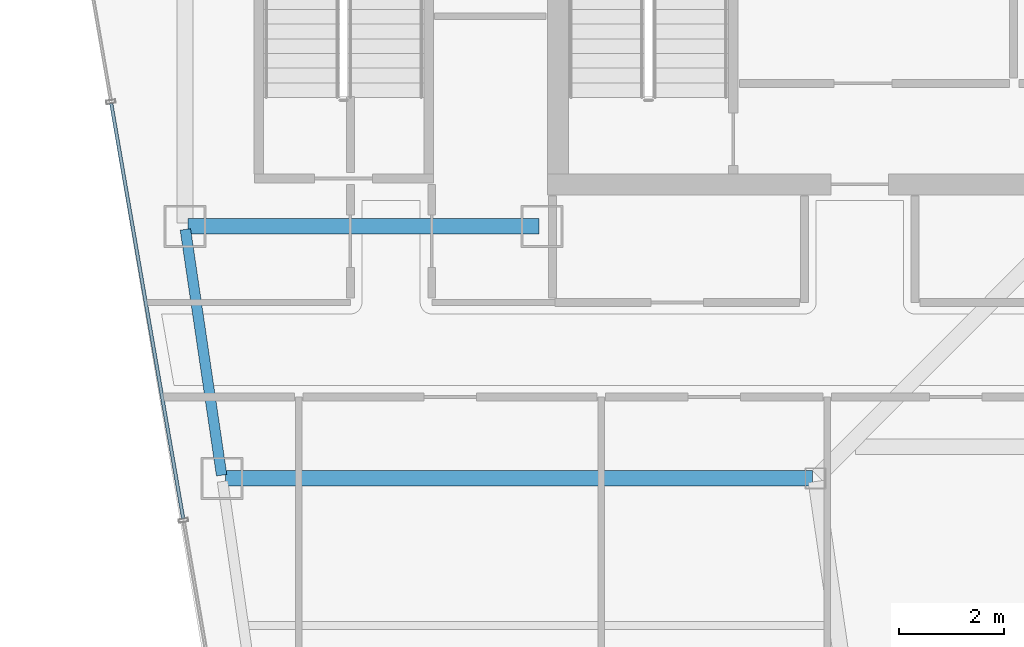
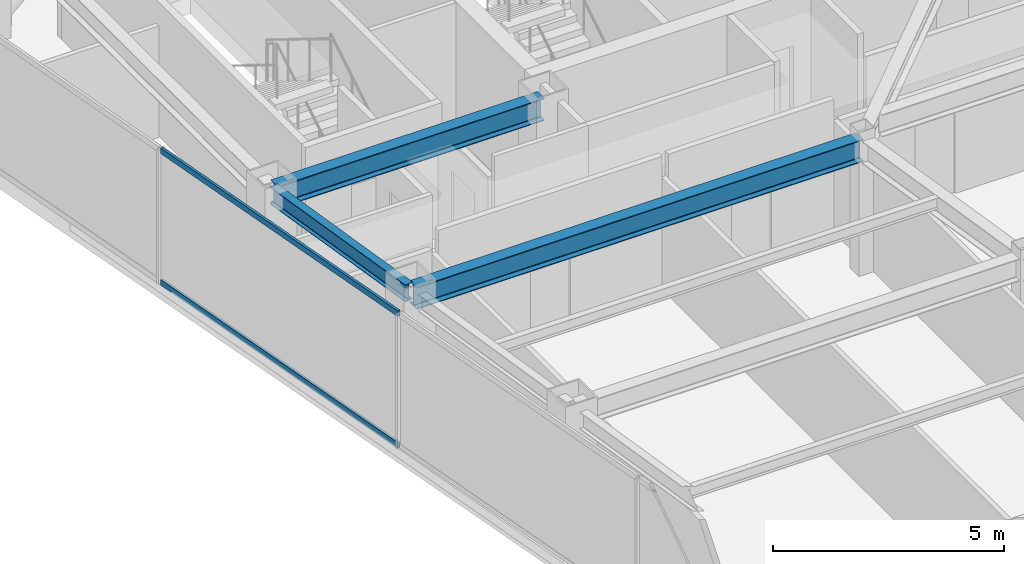
# One storey, part 6 of 31: 3 beams, 2 members, 1 element without a shape of its own.
"""IFC4 building model written with IfcOpenShell, lengths in metres."""

import ifcopenshell
import ifcopenshell.guid

model = None  # the IFC model being written
_history = None  # IfcOwnerHistory: only IFC2X3 demands one
_inside = {}  # id of a spatial element -> (the spatial element, [elements in it])
_under = {}  # id of a project, library or spatial element -> (it, [spatial elements below it])
_declared = {}  # id of a project -> (the project, [libraries it declares])
_typed = {}  # id of a type object -> (the type object, [elements of that type])
_made_of = {}  # id of a material, layer set ... -> (it, [elements and type objects made of it])


def new_model(schema):
    """Start an empty IFC model of exactly this schema.

    Asked for "IFC4X3", IfcOpenShell would pick the latest addendum, in which some entities
    have other attributes; the version numbers below select the first issue.
    IFC2X3 requires an IfcOwnerHistory on every rooted entity: one is made here for all.
    """
    global model, _history
    if schema == "IFC4X3":
        model = ifcopenshell.file(schema_version=(4, 3, 0, 0))
    else:
        model = ifcopenshell.file(schema=schema)
    _inside.clear()
    _under.clear()
    _declared.clear()
    _typed.clear()
    _made_of.clear()
    _history = None
    if model.schema == "IFC2X3":
        org = make("IfcOrganization", Name="unknown")
        user = make(
            "IfcPersonAndOrganization",
            ThePerson=make("IfcPerson", FamilyName="unknown"),
            TheOrganization=org,
        )
        app = make(
            "IfcApplication",
            ApplicationDeveloper=org,
            Version="unknown",
            ApplicationFullName="unknown",
            ApplicationIdentifier="unknown",
        )
        _history = make(
            "IfcOwnerHistory",
            OwningUser=user,
            OwningApplication=app,
            ChangeAction="ADDED",
            CreationDate=0,
        )
    return model


def make(cls, **values):
    """One entity of the class cls with the attributes given. An attribute that is None is left unset."""
    return model.create_entity(
        cls, **{name: value for name, value in values.items() if value is not None}
    )


def rooted(cls, **values):
    """An entity with a GlobalId (a new one), such as an element, a storey or a relation."""
    return make(cls, GlobalId=ifcopenshell.guid.new(), OwnerHistory=_history, **values)


def si_unit(unit_type, name, prefix=None):
    """IfcSIUnit, for example si_unit("LENGTHUNIT", "METRE", prefix="MILLI")."""
    return make("IfcSIUnit", UnitType=unit_type, Prefix=prefix, Name=name)


def assignment(units):
    """IfcUnitAssignment: the units of a project."""
    return None if units is None else make("IfcUnitAssignment", Units=units)


def point(xyz):
    """IfcCartesianPoint."""
    return None if xyz is None else make("IfcCartesianPoint", Coordinates=xyz)


def direction(xyz):
    """IfcDirection."""
    return None if xyz is None else make("IfcDirection", DirectionRatios=xyz)


def frame(location, z_axis=None, x_axis=None):
    """IfcAxis2Placement3D, a coordinate frame: its origin and axes. An axis left out is left unset."""
    return make(
        "IfcAxis2Placement3D",
        Location=point(location),
        Axis=direction(z_axis),
        RefDirection=direction(x_axis),
    )


def frame_2d(location, x_axis=None):
    """IfcAxis2Placement2D, a coordinate frame in the plane: its origin and x axis."""
    return make(
        "IfcAxis2Placement2D", Location=point(location), RefDirection=direction(x_axis)
    )


def origin():
    """The frame at (0, 0, 0) with its axes left unset."""
    return frame((0.0, 0.0, 0.0))


def origin_2d():
    """The frame at (0, 0) in the plane with its x axis left unset."""
    return frame_2d((0.0, 0.0))


def place(relative_to, where):
    """IfcLocalPlacement: puts the frame where relative to a parent placement (None: the world)."""
    return make(
        "IfcLocalPlacement", PlacementRelTo=relative_to, RelativePlacement=where
    )


def context(
    kind, dimensions, precision=None, world=None, true_north=None, identifier=None
):
    """IfcGeometricRepresentationContext, for example the 3D "Model" context."""
    return make(
        "IfcGeometricRepresentationContext",
        ContextIdentifier=identifier,
        ContextType=kind,
        CoordinateSpaceDimension=dimensions,
        Precision=precision,
        WorldCoordinateSystem=world,
        TrueNorth=true_north,
    )


def subcontext(parent, identifier, kind, view, scale=None):
    """IfcGeometricRepresentationSubContext, for example "Body" below "Model"."""
    return make(
        "IfcGeometricRepresentationSubContext",
        ContextIdentifier=identifier,
        ContextType=kind,
        ParentContext=parent,
        TargetScale=scale,
        TargetView=view,
    )


def project(units=None, contexts=None):
    """IfcProject with its units and contexts."""
    return rooted(
        "IfcProject",
        Name="project",
        RepresentationContexts=contexts,
        UnitsInContext=assignment(units),
    )


def spatial(cls, under=None, at=None, **own):
    """A site, building, storey or space (cls), placed at a placement, below another one or the project."""
    s = rooted(cls, ObjectPlacement=at, **own)
    if under is not None:
        _under.setdefault(under.id(), (under, []))[1].append(s)
    return s


def profile(cls, at=None, kind="AREA", **sizes):
    """A parametric profile (cls). Its sizes go by their IFC names, for example OverallWidth=200.0."""
    return make(cls, ProfileType=kind, Position=at, **sizes)


def hollow_rectangle(**sizes):
    """IfcRectangleHollowProfileDef."""
    return profile("IfcRectangleHollowProfileDef", **sizes)


def i_section(**sizes):
    """IfcIShapeProfileDef."""
    return profile("IfcIShapeProfileDef", **sizes)


def extrude(swept, where, along, depth):
    """IfcExtrudedAreaSolid: the profile swept, set in the frame where, extruded along a direction by depth."""
    return make(
        "IfcExtrudedAreaSolid",
        SweptArea=swept,
        Position=where,
        ExtrudedDirection=direction(along),
        Depth=depth,
    )


def shape(context_of_items, identifier, shape_type, items):
    """IfcShapeRepresentation: the items that make up one representation, for example the "Body"."""
    return make(
        "IfcShapeRepresentation",
        ContextOfItems=context_of_items,
        RepresentationIdentifier=identifier,
        RepresentationType=shape_type,
        Items=items,
    )


def material(Name=None, Category=None):
    """IfcMaterial."""
    return make("IfcMaterial", Name=Name, Category=Category)


def material_profile(
    of_material, cross_section, Name=None, Category=None, Priority=None
):
    """IfcMaterialProfile: a cross section and its material."""
    return make(
        "IfcMaterialProfile",
        Name=Name,
        Material=of_material,
        Profile=cross_section,
        Priority=Priority,
        Category=Category,
    )


def profile_set(profiles, Name=None, composite=None):
    """IfcMaterialProfileSet."""
    return make(
        "IfcMaterialProfileSet",
        Name=Name,
        MaterialProfiles=profiles,
        CompositeProfile=composite,
    )


def made_of(thing, what):
    """Note that an element or type object is made of a material, layer set ...; save() writes the relation."""
    if what is not None:
        _made_of.setdefault(what.id(), (what, []))[1].append(thing)
    return thing


def type_object(cls, material=None, **own):
    """A type object (cls), such as IfcWallType, which elements share."""
    return made_of(rooted(cls, **own), material)


def element(
    cls,
    number,
    at=None,
    inside=None,
    cuts=None,
    type_object=None,
    material=None,
    context=None,
    identifier="Body",
    shape_type=None,
    held_by="IfcProductDefinitionShape",
    body=None,
    shapes=None,
    **own,
):
    """One element of the class cls, such as IfcWall. Its Tag is "e" and its number.

    at: its placement. inside: the storey or other place that contains it. cuts: it is an
    opening in that element (IfcRelVoidsElement). A single representation is given by context,
    identifier, shape_type and body (its items); several are given by shapes. held_by: the class
    of the entity that holds the representations. save() writes the other relations.
    """
    e = rooted(cls, Tag="e%d" % number, ObjectPlacement=at, **own)
    if body is not None:
        shapes = [shape(context, identifier, shape_type, body)]
    if shapes is not None:
        e.Representation = make(held_by, Representations=shapes)
    if inside is not None:
        _inside.setdefault(inside.id(), (inside, []))[1].append(e)
    if cuts is not None:
        rooted(
            "IfcRelVoidsElement", RelatingBuildingElement=cuts, RelatedOpeningElement=e
        )
    if type_object is not None:
        _typed.setdefault(type_object.id(), (type_object, []))[1].append(e)
    return made_of(e, material)


def aggregate(whole, parts):
    """IfcRelAggregates: a whole, such as a stair, and the parts it consists of."""
    return rooted("IfcRelAggregates", RelatingObject=whole, RelatedObjects=parts)


def save(model, path):
    """Write the relations noted so far, then the file.

    IfcRelAggregates (storeys below a building ...), IfcRelContainedInSpatialStructure (elements
    in a storey), IfcRelDefinesByType, IfcRelAssociatesMaterial and IfcRelDeclares: one each for
    every whole, place, type object, material and project.
    """
    for whole, parts in _under.values():
        aggregate(whole, parts)
    for where, things in _inside.values():
        rooted(
            "IfcRelContainedInSpatialStructure",
            RelatedElements=things,
            RelatingStructure=where,
        )
    for kind, things in _typed.values():
        rooted("IfcRelDefinesByType", RelatedObjects=things, RelatingType=kind)
    for what, things in _made_of.values():
        rooted("IfcRelAssociatesMaterial", RelatedObjects=things, RelatingMaterial=what)
    for by, libraries in _declared.values():
        rooted("IfcRelDeclares", RelatingContext=by, RelatedDefinitions=libraries)
    model.write(path)


model = new_model("IFC4")

# Units and contexts
model_context = context("Model", 3, precision=1e-05, world=origin(), true_north=direction((0.0, 1.0)))
body_context = subcontext(model_context, "Body", "Model", "MODEL_VIEW")
ifc_project = project(units=[si_unit("LENGTHUNIT", "METRE"), si_unit("AREAUNIT", "SQUARE_METRE"), si_unit("VOLUMEUNIT", "CUBIC_METRE"), si_unit("PLANEANGLEUNIT", "RADIAN"), si_unit("MASSUNIT", "GRAM", prefix="KILO")], contexts=[model_context])

# Site, building, storey
site_placement = place(None, origin())
site = spatial("IfcSite", under=ifc_project, at=site_placement, CompositionType="ELEMENT")
building_placement = place(site_placement, origin())
building = spatial("IfcBuilding", under=site, at=building_placement, Name="Saevonmaru Cultural Tower", CompositionType="ELEMENT")
storey_placement = place(building_placement, frame((0.0, 0.0, 230.60009765625)))
storey = spatial("IfcBuildingStorey", under=building, at=storey_placement, Name="L53", CompositionType="ELEMENT", Elevation=230.60009765625)

# Beams
ifc_material_1 = material(Name="Steel SM355", Category="steel")
ifc_material_profile_1 = material_profile(ifc_material_1, i_section(OverallWidth=0.300048828125, OverallDepth=0.587890625, WebThickness=0.011962890625, FlangeThickness=0.02001953125, FilletRadius=0.02392578125, at=origin_2d()), Name="H-588x300x12x20")
ifc_profile_set_1 = profile_set([ifc_material_profile_1], Name="Steel SM355")
beam_type_1 = type_object("IfcBeamType", Name="BM-G-H588", PredefinedType="BEAM", material=ifc_profile_set_1)
beam_1_placement = place(storey_placement, frame((6.860107421875, 42.39990234375, 3.255859375), z_axis=(1.0, 0.0, 0.0), x_axis=(0.0, 1.0, 0.0)))
element("IfcBeam", 1, at=beam_1_placement, inside=storey, type_object=beam_type_1, Name="L53 Core South Girder 1", PredefinedType="BEAM", context=body_context, shape_type="SweptSolid", body=[
    extrude(i_section(OverallWidth=0.300048828125, OverallDepth=0.587890625, WebThickness=0.011962890625, FlangeThickness=0.02001953125, FilletRadius=0.02392578125, at=origin_2d()), origin(), (0.0, 0.0, 1.0), 6.679931640625),
])
beam_2_placement = place(storey_placement, frame((7.568115234375, 37.60009765625, 3.255859375), z_axis=(1.0, 0.0, 0.0), x_axis=(0.0, 1.0, 0.0)))
element("IfcBeam", 2, at=beam_2_placement, inside=storey, type_object=beam_type_1, Name="L53 West Wing Transverse Girder 4", PredefinedType="BEAM", context=body_context, shape_type="SweptSolid", body=[
    extrude(i_section(OverallWidth=0.300048828125, OverallDepth=0.587890625, WebThickness=0.011962890625, FlangeThickness=0.02001953125, FilletRadius=0.02392578125, at=origin_2d()), origin(), (0.0, 0.0, 1.0), 11.179931640625),
])
ifc_material_profile_2 = material_profile(ifc_material_1, i_section(OverallWidth=0.199951171875, OverallDepth=0.449951171875, WebThickness=0.009033203125, FlangeThickness=0.013916015625, FilletRadius=0.01806640625, at=origin_2d()), Name="H-450x200x9x14")
ifc_profile_set_2 = profile_set([ifc_material_profile_2], Name="Steel SM355")
beam_type_2 = type_object("IfcBeamType", Name="BM-SP-H450", PredefinedType="SPANDREL", material=ifc_profile_set_2)
beam_3_placement = place(storey_placement, frame((7.499267578125, 37.659423828125, 3.324951171875), z_axis=(-0.145912860028, 0.989297446312, 0.0), x_axis=(-0.989297446312, -0.145912860028, 0.0)))
element("IfcBeam", 3, at=beam_3_placement, inside=storey, type_object=beam_type_2, Name="L53 West Splayed Spandrel 4", PredefinedType="SPANDREL", context=body_context, shape_type="SweptSolid", body=[
    extrude(i_section(OverallWidth=0.199951171875, OverallDepth=0.449951171875, WebThickness=0.009033203125, FlangeThickness=0.013916015625, FilletRadius=0.01806640625, at=origin_2d()), origin(), (0.0, 0.0, 1.0), 4.731689453125),
])

# Curtain wall, members
ifc_material_2 = material(Name="Satin Bronze Anodised Aluminium", Category="aluminium")
curtain_wall_type = type_object("IfcCurtainWallType", Name="CW-SKY-GLZ", PredefinedType="NOTDEFINED", material=ifc_material_2)
curtain_wall_placement = place(storey_placement, origin())
curtain_wall = element("IfcCurtainWall", 4, at=curtain_wall_placement, inside=storey, type_object=curtain_wall_type, Name="L53 Unitised Curtain Wall E12", PredefinedType="NOTDEFINED")
ifc_material_profile_3 = material_profile(ifc_material_2, hollow_rectangle(XDim=0.06494140625, YDim=0.14990234375, WallThickness=0.00390625, at=origin_2d()), Name="ALU-TRAN-150x65x4")
ifc_profile_set_3 = profile_set([ifc_material_profile_3], Name="Satin Bronze Anodised Aluminium")
member_type = type_object("IfcMemberType", Name="TR-CW-150x65", PredefinedType="USERDEFINED", material=ifc_profile_set_3)
member_1_placement = place(storey_placement, frame((5.397216796875, 44.738525390625, 0.032470703125), z_axis=(0.170804445888, -0.985304948361, 0.0), x_axis=(0.985304948361, 0.170804445888, 0.0)))
member_1 = element("IfcMember", 5, at=member_1_placement, type_object=member_type, Name="CW-TW-L53-E12 transom 2.1", ObjectType="TRANSOM", PredefinedType="USERDEFINED", context=body_context, shape_type="SweptSolid", body=[
    extrude(hollow_rectangle(XDim=0.06494140625, YDim=0.14990234375, WallThickness=0.00390625, at=origin_2d()), origin(), (0.0, 0.0, 1.0), 8.0244140625),
])
member_2_placement = place(storey_placement, frame((5.397216796875, 44.738525390625, 3.517333984375), z_axis=(0.170804445888, -0.985304948361, 0.0), x_axis=(0.985304948361, 0.170804445888, 0.0)))
member_2 = element("IfcMember", 6, at=member_2_placement, type_object=member_type, Name="CW-TW-L53-E12 transom 2.2", ObjectType="TRANSOM", PredefinedType="USERDEFINED", context=body_context, shape_type="SweptSolid", body=[
    extrude(hollow_rectangle(XDim=0.06494140625, YDim=0.14990234375, WallThickness=0.00390625, at=origin_2d()), origin(), (0.0, 0.0, 1.0), 8.0244140625),
])
aggregate(curtain_wall, [member_1, member_2])

save(model, "model.ifc")
